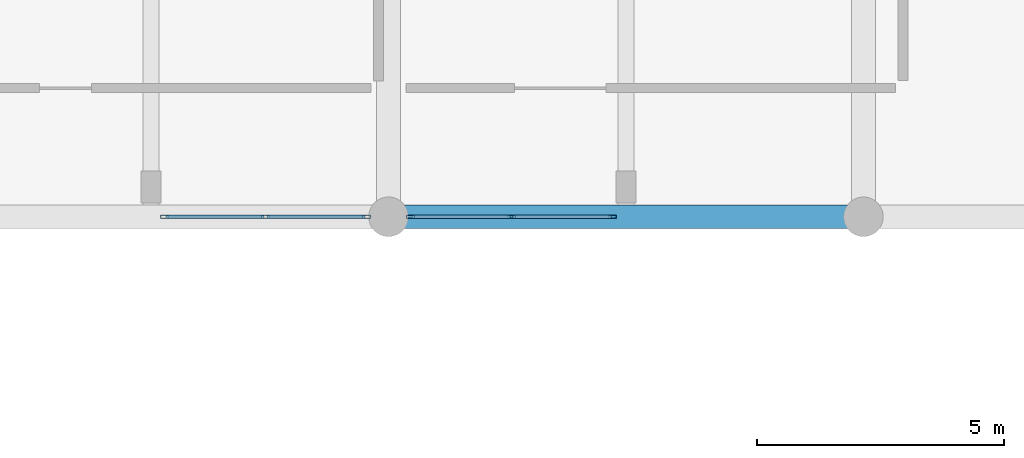
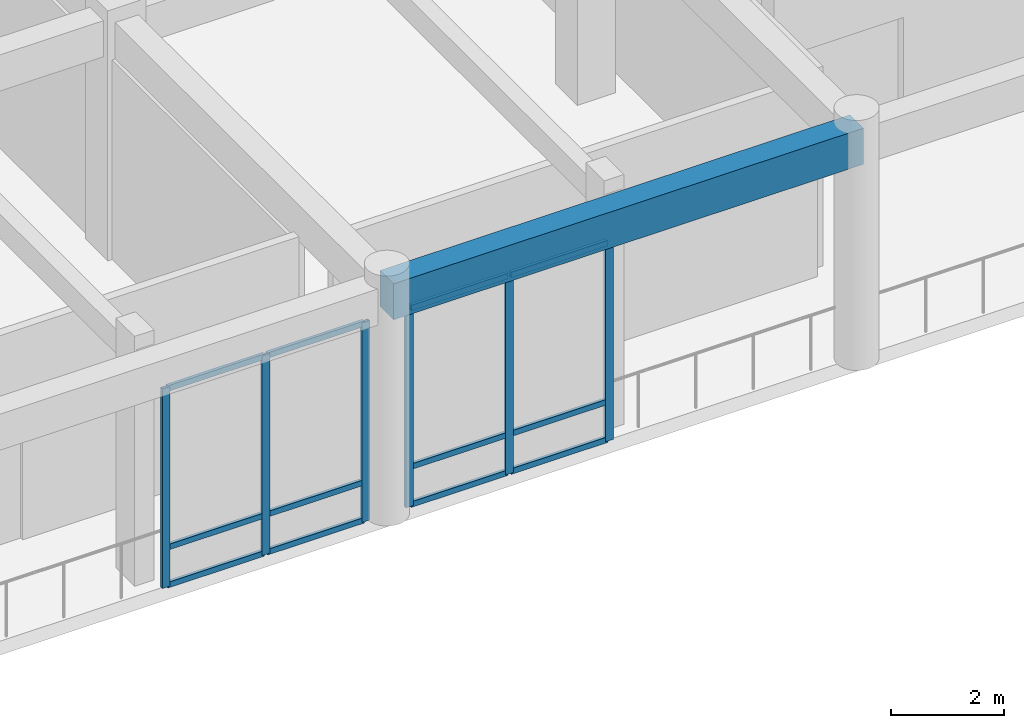
# One storey, part 42 of 134: 18 members, 1 beam, 2 elements without a shape of their own.
"""IFC4 building model written with IfcOpenShell, lengths in metres."""

from ifc_helpers import new_model, si_unit, direction, frame, origin, origin_2d, place, context, subcontext, project, spatial, rectangle, hollow_rectangle, extrude, material, layer, layer_set, material_profile, profile_set, type_object, element, aggregate, save


model = new_model("IFC4")

# Units and contexts
model_context = context("Model", 3, precision=1e-05, world=origin(), true_north=direction((0.0, 1.0)))
body_context = subcontext(model_context, "Body", "Model", "MODEL_VIEW")
ifc_project = project(units=[si_unit("LENGTHUNIT", "METRE"), si_unit("AREAUNIT", "SQUARE_METRE"), si_unit("VOLUMEUNIT", "CUBIC_METRE"), si_unit("PLANEANGLEUNIT", "RADIAN"), si_unit("MASSUNIT", "GRAM", prefix="KILO")], contexts=[model_context])

# Site, building, storey
site_placement = place(None, origin())
site = spatial("IfcSite", under=ifc_project, at=site_placement, CompositionType="ELEMENT")
building_placement = place(site_placement, origin())
building = spatial("IfcBuilding", under=site, at=building_placement, Name="Nakhvara Creek Congress Hotel", CompositionType="ELEMENT")
storey_placement = place(building_placement, frame((0.0, 0.0, 6.0)))
storey = spatial("IfcBuildingStorey", under=building, at=storey_placement, Name="L01", CompositionType="ELEMENT", Elevation=6.0)

# Beam
ifc_material_1 = material(Name="Concrete C40/50", Category="concrete")
ifc_material_profile_1 = material_profile(ifc_material_1, rectangle(XDim=0.47998046875, YDim=0.780029296875, at=origin_2d()), Name="RC-BM 480x780", Category="LoadBearing")
ifc_profile_set_1 = profile_set([ifc_material_profile_1], Name="Concrete C40/50")
beam_type = type_object("IfcBeamType", Name="BM-RC-480X780", PredefinedType="BEAM", material=ifc_profile_set_1)
beam_placement = place(storey_placement, frame((105.60009765625, 76.800048828125, 4.7099609375), z_axis=(1.0, 0.0, 0.0), x_axis=(0.0, 1.0, 0.0)))
element("IfcBeam", 1, at=beam_placement, inside=storey, type_object=beam_type, Name="Beam B13-L01-1199", PredefinedType="BEAM", context=body_context, shape_type="SweptSolid", body=[
    extrude(rectangle(XDim=0.47998046875, YDim=0.780029296875, at=origin_2d()), origin(), (0.0, 0.0, 1.0), 9.599853515625),
])

# Curtain wall, members
ifc_material_2 = material(Name="Bronze-anodised aluminium AW-6063-T6 and double-silver low-E glass", Category="aluminium")
ifc_layer = layer(ifc_material_2, 0.199951171875)
ifc_layer_set = layer_set([ifc_layer], Name="Bronze-anodised aluminium AW-6063-T6 and double-silver low-E glass")
curtain_wall_type = type_object("IfcCurtainWallType", Name="CW-POD-STICK", PredefinedType="NOTDEFINED", material=ifc_layer_set)
curtain_wall_1_placement = place(storey_placement, origin())
curtain_wall_1 = element("IfcCurtainWall", 2, at=curtain_wall_1_placement, inside=storey, type_object=curtain_wall_type, Name="Curtain Wall CW022", PredefinedType="NOTDEFINED")
ifc_material_3 = material(Name="Bronze-anodised aluminium AW-6063-T6", Category="aluminium")
ifc_material_profile_2 = material_profile(ifc_material_3, hollow_rectangle(XDim=0.06494140625, YDim=0.159912109375, WallThickness=0.00390625, at=origin_2d()), Name="ALU-MULL 65x160x4", Category="LoadBearing")
ifc_profile_set_2 = profile_set([ifc_material_profile_2], Name="Bronze-anodised aluminium AW-6063-T6")
member_type_1 = type_object("IfcMemberType", Name="CW-MULL-160", PredefinedType="MULLION", material=ifc_profile_set_2)
member_1_placement = place(storey_placement, frame((105.152587890625, 76.800048828125, 0.0), z_axis=(0.0, 0.0, 1.0), x_axis=(0.0, -1.0, 0.0)))
member_1 = element("IfcMember", 3, at=member_1_placement, type_object=member_type_1, Name="CW022 mullion 1", PredefinedType="MULLION", context=body_context, shape_type="SweptSolid", body=[
    extrude(hollow_rectangle(XDim=0.06494140625, YDim=0.159912109375, WallThickness=0.00390625, at=origin_2d()), origin(), (0.0, 0.0, 1.0), 4.31201171875),
])
member_2_placement = place(storey_placement, frame((103.112548828125, 76.800048828125, 0.0), z_axis=(0.0, 0.0, 1.0), x_axis=(0.0, -1.0, 0.0)))
member_2 = element("IfcMember", 4, at=member_2_placement, type_object=member_type_1, Name="CW022 mullion 2", PredefinedType="MULLION", context=body_context, shape_type="SweptSolid", body=[
    extrude(hollow_rectangle(XDim=0.06494140625, YDim=0.159912109375, WallThickness=0.00390625, at=origin_2d()), origin(), (0.0, 0.0, 1.0), 4.31201171875),
])
member_3_placement = place(storey_placement, frame((101.072509765625, 76.800048828125, 0.0), z_axis=(0.0, 0.0, 1.0), x_axis=(0.0, -1.0, 0.0)))
member_3 = element("IfcMember", 5, at=member_3_placement, type_object=member_type_1, Name="CW022 mullion 3", PredefinedType="MULLION", context=body_context, shape_type="SweptSolid", body=[
    extrude(hollow_rectangle(XDim=0.06494140625, YDim=0.159912109375, WallThickness=0.00390625, at=origin_2d()), origin(), (0.0, 0.0, 1.0), 4.31201171875),
])

curtain_wall_2_placement = place(storey_placement, origin())
curtain_wall_2 = element("IfcCurtainWall", 6, at=curtain_wall_2_placement, inside=storey, type_object=curtain_wall_type, Name="Curtain Wall CW024", PredefinedType="NOTDEFINED")
member_4_placement = place(storey_placement, frame((110.12744140625, 76.800048828125, 0.0), z_axis=(0.0, 0.0, 1.0), x_axis=(0.0, -1.0, 0.0)))
member_4 = element("IfcMember", 7, at=member_4_placement, type_object=member_type_1, Name="CW024 mullion 1", PredefinedType="MULLION", context=body_context, shape_type="SweptSolid", body=[
    extrude(hollow_rectangle(XDim=0.06494140625, YDim=0.159912109375, WallThickness=0.00390625, at=origin_2d()), origin(), (0.0, 0.0, 1.0), 4.31201171875),
])
member_5_placement = place(storey_placement, frame((108.08740234375, 76.800048828125, 0.0), z_axis=(0.0, 0.0, 1.0), x_axis=(0.0, -1.0, 0.0)))
member_5 = element("IfcMember", 8, at=member_5_placement, type_object=member_type_1, Name="CW024 mullion 2", PredefinedType="MULLION", context=body_context, shape_type="SweptSolid", body=[
    extrude(hollow_rectangle(XDim=0.06494140625, YDim=0.159912109375, WallThickness=0.00390625, at=origin_2d()), origin(), (0.0, 0.0, 1.0), 4.31201171875),
])
member_6_placement = place(storey_placement, frame((106.047607421875, 76.800048828125, 0.0), z_axis=(0.0, 0.0, 1.0), x_axis=(0.0, -1.0, 0.0)))
member_6 = element("IfcMember", 9, at=member_6_placement, type_object=member_type_1, Name="CW024 mullion 3", PredefinedType="MULLION", context=body_context, shape_type="SweptSolid", body=[
    extrude(hollow_rectangle(XDim=0.06494140625, YDim=0.159912109375, WallThickness=0.00390625, at=origin_2d()), origin(), (0.0, 0.0, 1.0), 4.31201171875),
])

# Member
ifc_material_profile_3 = material_profile(ifc_material_3, hollow_rectangle(XDim=0.06494140625, YDim=0.1201171875, WallThickness=0.00390625, at=origin_2d()), Name="ALU-TRAN 65x120x4", Category="LoadBearing")
ifc_profile_set_3 = profile_set([ifc_material_profile_3], Name="Bronze-anodised aluminium AW-6063-T6")
member_type_2 = type_object("IfcMemberType", Name="CW-TRAN-120", PredefinedType="USERDEFINED", material=ifc_profile_set_3)
member_7_placement = place(storey_placement, frame((105.1201171875, 76.800048828125, 0.032470703125), z_axis=(-1.0, 0.0, 0.0), x_axis=(0.0, -1.0, 0.0)))
member_7 = element("IfcMember", 10, at=member_7_placement, type_object=member_type_2, Name="CW022 transom 1.1", ObjectType="TRANSOM", PredefinedType="USERDEFINED", context=body_context, shape_type="SweptSolid", body=[
    extrude(hollow_rectangle(XDim=0.06494140625, YDim=0.1201171875, WallThickness=0.00390625, at=origin_2d()), origin(), (0.0, 0.0, 1.0), 1.97509765625),
])

member_8_placement = place(storey_placement, frame((105.1201171875, 76.800048828125, 0.85009765625), z_axis=(-1.0, 0.0, 0.0), x_axis=(0.0, -1.0, 0.0)))
member_8 = element("IfcMember", 11, at=member_8_placement, type_object=member_type_2, Name="CW022 transom 1.2", ObjectType="TRANSOM", PredefinedType="USERDEFINED", context=body_context, shape_type="SweptSolid", body=[
    extrude(hollow_rectangle(XDim=0.06494140625, YDim=0.1201171875, WallThickness=0.00390625, at=origin_2d()), origin(), (0.0, 0.0, 1.0), 1.97509765625),
])

member_9_placement = place(storey_placement, frame((105.1201171875, 76.800048828125, 4.279541015625), z_axis=(-1.0, 0.0, 0.0), x_axis=(0.0, -1.0, 0.0)))
member_9 = element("IfcMember", 12, at=member_9_placement, type_object=member_type_2, Name="CW022 transom 1.3", ObjectType="TRANSOM", PredefinedType="USERDEFINED", context=body_context, shape_type="SweptSolid", body=[
    extrude(hollow_rectangle(XDim=0.06494140625, YDim=0.1201171875, WallThickness=0.00390625, at=origin_2d()), origin(), (0.0, 0.0, 1.0), 1.97509765625),
])

member_10_placement = place(storey_placement, frame((103.080078125, 76.800048828125, 0.032470703125), z_axis=(-1.0, 0.0, 0.0), x_axis=(0.0, -1.0, 0.0)))
member_10 = element("IfcMember", 13, at=member_10_placement, type_object=member_type_2, Name="CW022 transom 2.1", ObjectType="TRANSOM", PredefinedType="USERDEFINED", context=body_context, shape_type="SweptSolid", body=[
    extrude(hollow_rectangle(XDim=0.06494140625, YDim=0.1201171875, WallThickness=0.00390625, at=origin_2d()), origin(), (0.0, 0.0, 1.0), 1.97509765625),
])

member_11_placement = place(storey_placement, frame((103.080078125, 76.800048828125, 0.85009765625), z_axis=(-1.0, 0.0, 0.0), x_axis=(0.0, -1.0, 0.0)))
member_11 = element("IfcMember", 14, at=member_11_placement, type_object=member_type_2, Name="CW022 transom 2.2", ObjectType="TRANSOM", PredefinedType="USERDEFINED", context=body_context, shape_type="SweptSolid", body=[
    extrude(hollow_rectangle(XDim=0.06494140625, YDim=0.1201171875, WallThickness=0.00390625, at=origin_2d()), origin(), (0.0, 0.0, 1.0), 1.97509765625),
])

member_12_placement = place(storey_placement, frame((103.080078125, 76.800048828125, 4.279541015625), z_axis=(-1.0, 0.0, 0.0), x_axis=(0.0, -1.0, 0.0)))
member_12 = element("IfcMember", 15, at=member_12_placement, type_object=member_type_2, Name="CW022 transom 2.3", ObjectType="TRANSOM", PredefinedType="USERDEFINED", context=body_context, shape_type="SweptSolid", body=[
    extrude(hollow_rectangle(XDim=0.06494140625, YDim=0.1201171875, WallThickness=0.00390625, at=origin_2d()), origin(), (0.0, 0.0, 1.0), 1.97509765625),
])

aggregate(curtain_wall_1, [member_1, member_2, member_3, member_7, member_8, member_9, member_10, member_11, member_12])

member_13_placement = place(storey_placement, frame((110.094970703125, 76.800048828125, 0.032470703125), z_axis=(-1.0, 0.0, 0.0), x_axis=(0.0, -1.0, 0.0)))
member_13 = element("IfcMember", 16, at=member_13_placement, type_object=member_type_2, Name="CW024 transom 1.1", ObjectType="TRANSOM", PredefinedType="USERDEFINED", context=body_context, shape_type="SweptSolid", body=[
    extrude(hollow_rectangle(XDim=0.06494140625, YDim=0.1201171875, WallThickness=0.00390625, at=origin_2d()), origin(), (0.0, 0.0, 1.0), 1.974853515625),
])

member_14_placement = place(storey_placement, frame((110.094970703125, 76.800048828125, 0.85009765625), z_axis=(-1.0, 0.0, 0.0), x_axis=(0.0, -1.0, 0.0)))
member_14 = element("IfcMember", 17, at=member_14_placement, type_object=member_type_2, Name="CW024 transom 1.2", ObjectType="TRANSOM", PredefinedType="USERDEFINED", context=body_context, shape_type="SweptSolid", body=[
    extrude(hollow_rectangle(XDim=0.06494140625, YDim=0.1201171875, WallThickness=0.00390625, at=origin_2d()), origin(), (0.0, 0.0, 1.0), 1.974853515625),
])

member_15_placement = place(storey_placement, frame((110.094970703125, 76.800048828125, 4.279541015625), z_axis=(-1.0, 0.0, 0.0), x_axis=(0.0, -1.0, 0.0)))
member_15 = element("IfcMember", 18, at=member_15_placement, type_object=member_type_2, Name="CW024 transom 1.3", ObjectType="TRANSOM", PredefinedType="USERDEFINED", context=body_context, shape_type="SweptSolid", body=[
    extrude(hollow_rectangle(XDim=0.06494140625, YDim=0.1201171875, WallThickness=0.00390625, at=origin_2d()), origin(), (0.0, 0.0, 1.0), 1.974853515625),
])

member_16_placement = place(storey_placement, frame((108.054931640625, 76.800048828125, 0.032470703125), z_axis=(-1.0, 0.0, 0.0), x_axis=(0.0, -1.0, 0.0)))
member_16 = element("IfcMember", 19, at=member_16_placement, type_object=member_type_2, Name="CW024 transom 2.1", ObjectType="TRANSOM", PredefinedType="USERDEFINED", context=body_context, shape_type="SweptSolid", body=[
    extrude(hollow_rectangle(XDim=0.06494140625, YDim=0.1201171875, WallThickness=0.00390625, at=origin_2d()), origin(), (0.0, 0.0, 1.0), 1.974853515625),
])

member_17_placement = place(storey_placement, frame((108.054931640625, 76.800048828125, 0.85009765625), z_axis=(-1.0, 0.0, 0.0), x_axis=(0.0, -1.0, 0.0)))
member_17 = element("IfcMember", 20, at=member_17_placement, type_object=member_type_2, Name="CW024 transom 2.2", ObjectType="TRANSOM", PredefinedType="USERDEFINED", context=body_context, shape_type="SweptSolid", body=[
    extrude(hollow_rectangle(XDim=0.06494140625, YDim=0.1201171875, WallThickness=0.00390625, at=origin_2d()), origin(), (0.0, 0.0, 1.0), 1.974853515625),
])

member_18_placement = place(storey_placement, frame((108.054931640625, 76.800048828125, 4.279541015625), z_axis=(-1.0, 0.0, 0.0), x_axis=(0.0, -1.0, 0.0)))
member_18 = element("IfcMember", 21, at=member_18_placement, type_object=member_type_2, Name="CW024 transom 2.3", ObjectType="TRANSOM", PredefinedType="USERDEFINED", context=body_context, shape_type="SweptSolid", body=[
    extrude(hollow_rectangle(XDim=0.06494140625, YDim=0.1201171875, WallThickness=0.00390625, at=origin_2d()), origin(), (0.0, 0.0, 1.0), 1.974853515625),
])

aggregate(curtain_wall_2, [member_4, member_5, member_6, member_13, member_14, member_15, member_16, member_17, member_18])

save(model, "model.ifc")
